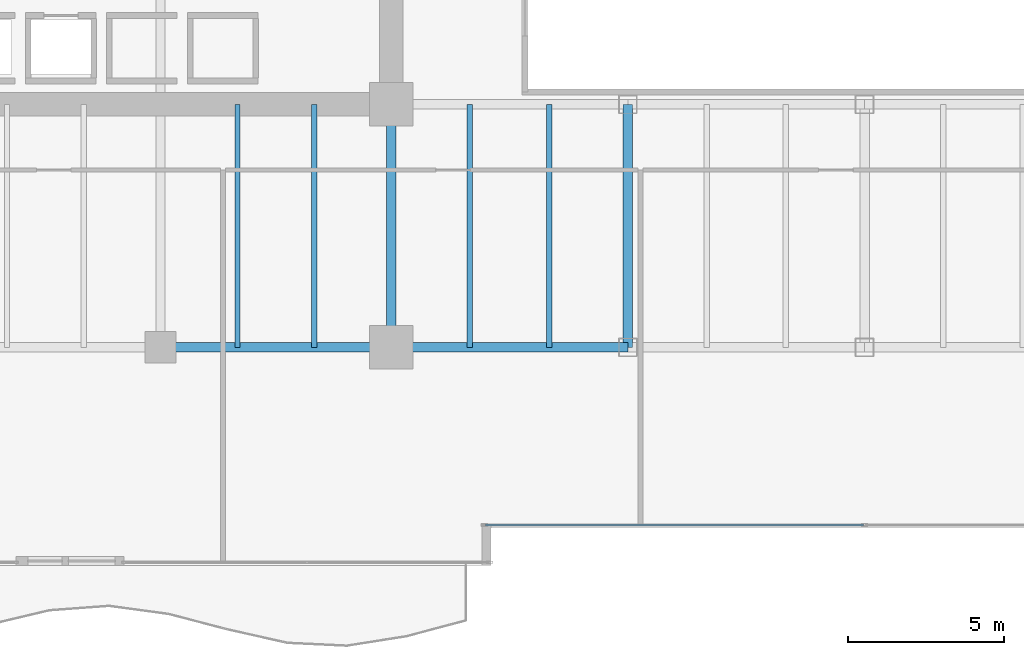
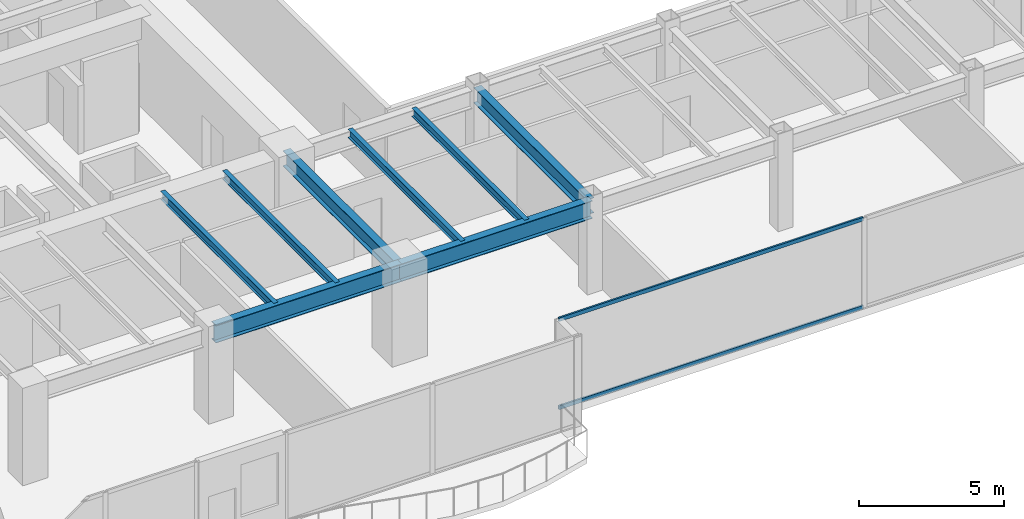
# One storey, part 5 of 31: 8 beams, 2 members, 1 element without a shape of its own.
"""IFC4 building model written with IfcOpenShell, lengths in metres."""

from ifc_helpers import new_model, si_unit, direction, frame, origin, origin_2d, place, context, subcontext, project, spatial, hollow_rectangle, i_section, extrude, source, transform, mapped, material, layer, layer_set, material_profile, profile_set, type_object, type_shapes, element, aggregate, save


model = new_model("IFC4")

# Units and contexts
model_context = context("Model", 3, precision=1e-05, world=origin(), true_north=direction((0.0, 1.0)))
body_context = subcontext(model_context, "Body", "Model", "MODEL_VIEW")
ifc_project = project(units=[si_unit("LENGTHUNIT", "METRE"), si_unit("AREAUNIT", "SQUARE_METRE"), si_unit("VOLUMEUNIT", "CUBIC_METRE"), si_unit("PLANEANGLEUNIT", "RADIAN"), si_unit("MASSUNIT", "GRAM", prefix="KILO")], contexts=[model_context])

# Site, building, storey
site_placement = place(None, origin())
site = spatial("IfcSite", under=ifc_project, at=site_placement, CompositionType="ELEMENT")
building_placement = place(site_placement, origin())
building = spatial("IfcBuilding", under=site, at=building_placement, Name="Haelvirn Gate Laboratories", CompositionType="ELEMENT")
storey_placement = place(building_placement, frame((0.0, 0.0, 62.10009765625)))
storey = spatial("IfcBuildingStorey", under=building, at=storey_placement, Name="L15", CompositionType="ELEMENT", Elevation=62.10009765625)

# Beams
ifc_material_1 = material(Name="Steel SM355", Category="steel")
ifc_material_profile_1 = material_profile(ifc_material_1, i_section(OverallWidth=0.300048828125, OverallDepth=0.75, WebThickness=0.013916015625, FlangeThickness=0.02392578125, at=origin_2d()), Name="H-750x300x14x24")
ifc_profile_set_1 = profile_set([ifc_material_profile_1], Name="Steel SM355")
beam_type_1 = type_object("IfcBeamType", Name="BM-G-750", PredefinedType="BEAM", material=ifc_profile_set_1)
shared_shape_1 = source(origin(), body_context, "Body", "SweptSolid", [
    extrude(i_section(OverallWidth=0.300048828125, OverallDepth=0.75, WebThickness=0.013916015625, FlangeThickness=0.02392578125, at=origin_2d()), origin(), (0.0, 0.0, 1.0), 7.39990234375),
])
beam_1_placement = place(storey_placement, frame((14.800048828125, 7.0, 3.40478515625), z_axis=(1.0, 0.0, 0.0), x_axis=(0.0, 1.0, 0.0)))
element("IfcBeam", 1, at=beam_1_placement, inside=storey, type_object=beam_type_1, Name="L15 Primary Girder Y7.0 (14.8-22.2)", PredefinedType="BEAM", context=body_context, shape_type="MappedRepresentation", body=[
    mapped(shared_shape_1, transform((0.0, 0.0, 0.0), scale=1.0)),
])
shared_shape_2 = source(origin(), body_context, "Body", "SweptSolid", [
    extrude(i_section(OverallWidth=0.300048828125, OverallDepth=0.75, WebThickness=0.013916015625, FlangeThickness=0.02392578125, at=origin_2d()), origin(), (0.0, 0.0, 1.0), 7.60009765625),
])
type_shapes(beam_type_1, [shared_shape_1, shared_shape_2])
beam_2_placement = place(storey_placement, frame((22.199951171875, 7.0, 3.40478515625), z_axis=(1.0, 0.0, 0.0), x_axis=(0.0, 1.0, 0.0)))
element("IfcBeam", 2, at=beam_2_placement, inside=storey, type_object=beam_type_1, Name="L15 Primary Girder Y7.0 (22.2-29.8)", PredefinedType="BEAM", context=body_context, shape_type="MappedRepresentation", body=[
    mapped(shared_shape_2, transform((0.0, 0.0, 0.0), scale=1.0)),
])
ifc_material_profile_2 = material_profile(ifc_material_1, i_section(OverallWidth=0.175048828125, OverallDepth=0.35009765625, WebThickness=0.007080078125, FlangeThickness=0.010986328125, at=origin_2d()), Name="H-350x175x7x11")
ifc_profile_set_2 = profile_set([ifc_material_profile_2], Name="Steel SM355")
beam_type_2 = type_object("IfcBeamType", Name="BM-J-350", PredefinedType="JOIST", material=ifc_profile_set_2)
shared_shape_3 = source(origin(), body_context, "Body", "SweptSolid", [
    extrude(i_section(OverallWidth=0.175048828125, OverallDepth=0.35009765625, WebThickness=0.007080078125, FlangeThickness=0.010986328125, at=origin_2d()), origin(), (0.0, 0.0, 1.0), 7.800048828125),
])
type_shapes(beam_type_2, [shared_shape_3])
for number, where, z_axis, x_axis, name in (
    (3, (17.27001953125, 7.0, 3.60498046875), (0.0, 1.0, 0.0), (-1.0, 0.0, 0.0), "L15 Composite Lab Joist South X17.27"),
    (4, (19.72998046875, 7.0, 3.60498046875), (0.0, 1.0, 0.0), (-1.0, 0.0, 0.0), "L15 Composite Lab Joist South X19.73"),
    (5, (24.72998046875, 7.0, 3.60498046875), (0.0, 1.0, 0.0), (-1.0, 0.0, 0.0), "L15 Composite Lab Joist South X24.73"),
    (6, (27.27001953125, 7.0, 3.60498046875), (0.0, 1.0, 0.0), (-1.0, 0.0, 0.0), "L15 Composite Lab Joist South X27.27"),
):
    element("IfcBeam", number, at=place(storey_placement, frame(where, z_axis=z_axis, x_axis=x_axis)), inside=storey, type_object=beam_type_2, Name=name, PredefinedType="JOIST", context=body_context, shape_type="MappedRepresentation", body=[
        mapped(shared_shape_3, transform((0.0, 0.0, 0.0), scale=1.0)),
    ])
ifc_material_profile_3 = material_profile(ifc_material_1, i_section(OverallWidth=0.300048828125, OverallDepth=0.64990234375, WebThickness=0.012939453125, FlangeThickness=0.02197265625, at=origin_2d()), Name="H-650x300x13x22")
ifc_profile_set_3 = profile_set([ifc_material_profile_3], Name="Steel SM355")
beam_type_3 = type_object("IfcBeamType", Name="BM-G-650", PredefinedType="BEAM", material=ifc_profile_set_3)
shared_shape_4 = source(origin(), body_context, "Body", "SweptSolid", [
    extrude(i_section(OverallWidth=0.300048828125, OverallDepth=0.64990234375, WebThickness=0.012939453125, FlangeThickness=0.02197265625, at=origin_2d()), origin(), (0.0, 0.0, 1.0), 7.800048828125),
])
type_shapes(beam_type_3, [shared_shape_4])
for number, where, z_axis, x_axis, name in (
    (7, (22.199951171875, 7.0, 3.454833984375), (0.0, 1.0, 0.0), (-1.0, 0.0, 0.0), "L15 Frame Girder X22.2 (7.0-14.8)"),
    (8, (29.800048828125, 7.0, 3.454833984375), (0.0, 1.0, 0.0), (-1.0, 0.0, 0.0), "L15 Frame Girder X29.8 (7.0-14.8)"),
):
    element("IfcBeam", number, at=place(storey_placement, frame(where, z_axis=z_axis, x_axis=x_axis)), inside=storey, type_object=beam_type_3, Name=name, PredefinedType="BEAM", context=body_context, shape_type="MappedRepresentation", body=[
        mapped(shared_shape_4, transform((0.0, 0.0, 0.0), scale=1.0)),
    ])

# Curtain wall, members
ifc_material_2 = material(Name="Anodised bronze unitised aluminium & triple low-E glass", Category="aluminium")
ifc_layer = layer(ifc_material_2, 0.18408203125, Name="CW-SYS-2")
ifc_layer_set = layer_set([ifc_layer], Name="Anodised bronze unitised aluminium & triple low-E glass")
curtain_wall_type = type_object("IfcCurtainWallType", Name="CW-SYS-2", PredefinedType="NOTDEFINED", material=ifc_layer_set)
curtain_wall_placement = place(storey_placement, origin())
curtain_wall = element("IfcCurtainWall", 9, at=curtain_wall_placement, inside=storey, type_object=curtain_wall_type, Name="L15 Unitised Curtain Wall CW-L15-P0-E02-1", PredefinedType="NOTDEFINED")
ifc_material_3 = material(Name="Extruded aluminium 6063-T6 (anodised bronze)", Category="aluminium")
ifc_material_profile_4 = material_profile(ifc_material_3, hollow_rectangle(XDim=0.070068359375, YDim=0.159912109375, WallThickness=0.0048828125, at=origin_2d()), Name="CWT-160x70x5")
ifc_profile_set_4 = profile_set([ifc_material_profile_4], Name="Extruded aluminium 6063-T6 (anodised bronze)")
member_type = type_object("IfcMemberType", Name="CWT-T160", PredefinedType="USERDEFINED", material=ifc_profile_set_4)
shared_shape_5 = source(origin(), body_context, "Body", "SweptSolid", [
    extrude(hollow_rectangle(XDim=0.070068359375, YDim=0.159912109375, WallThickness=0.0048828125, at=origin_2d()), origin(), (0.0, 0.0, 1.0), 12.12744140625),
])
type_shapes(member_type, [shared_shape_5])
member_1_placement = place(storey_placement, frame((25.235107421875, 1.300048828125, 0.034912109375), z_axis=(1.0, 0.0, 0.0), x_axis=(0.0, 1.0, 0.0)))
member_1 = element("IfcMember", 10, at=member_1_placement, type_object=member_type, Name="CW2 transom 1.1", ObjectType="TRANSOM", PredefinedType="USERDEFINED", context=body_context, shape_type="MappedRepresentation", body=[
    mapped(shared_shape_5, transform((0.0, 0.0, 0.0), scale=1.0)),
])
member_2_placement = place(storey_placement, frame((25.235107421875, 1.300048828125, 3.744873046875), z_axis=(1.0, 0.0, 0.0), x_axis=(0.0, 1.0, 0.0)))
member_2 = element("IfcMember", 11, at=member_2_placement, type_object=member_type, Name="CW2 transom 1.2", ObjectType="TRANSOM", PredefinedType="USERDEFINED", context=body_context, shape_type="MappedRepresentation", body=[
    mapped(shared_shape_5, transform((0.0, 0.0, 0.0), scale=1.0)),
])
aggregate(curtain_wall, [member_1, member_2])

save(model, "model.ifc")
